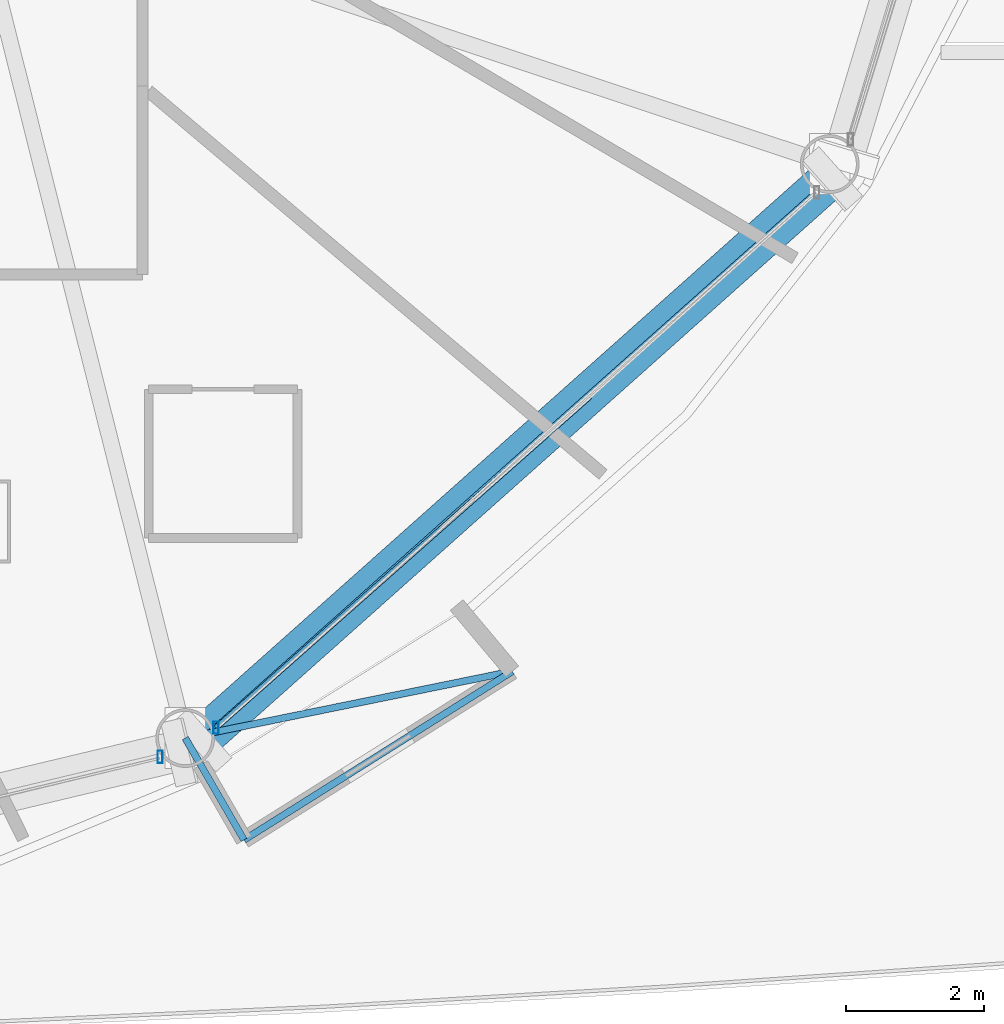
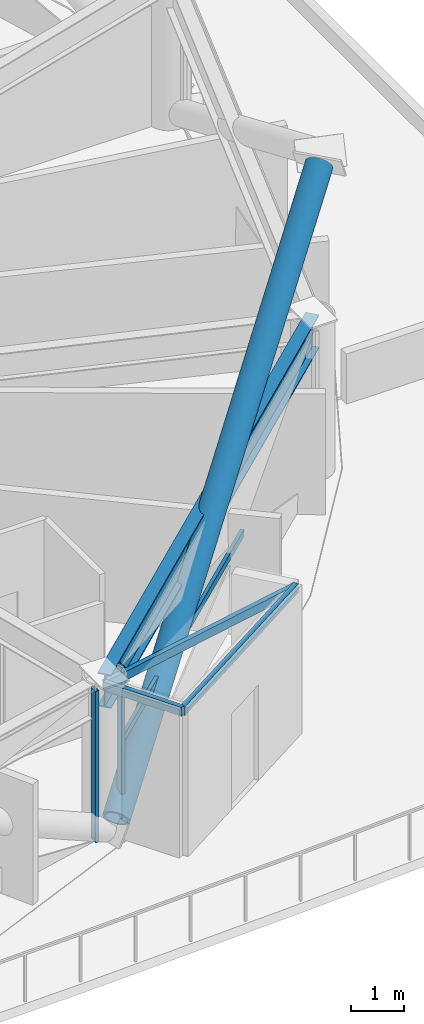
# One storey, part 7 of 27: 7 members, 1 beam, 2 elements without a shape of their own.
"""IFC4 building model written with IfcOpenShell, lengths in metres."""

import ifcopenshell
import ifcopenshell.guid

model = None  # the IFC model being written
_history = None  # IfcOwnerHistory: only IFC2X3 demands one
_inside = {}  # id of a spatial element -> (the spatial element, [elements in it])
_under = {}  # id of a project, library or spatial element -> (it, [spatial elements below it])
_declared = {}  # id of a project -> (the project, [libraries it declares])
_typed = {}  # id of a type object -> (the type object, [elements of that type])
_made_of = {}  # id of a material, layer set ... -> (it, [elements and type objects made of it])


def new_model(schema):
    """Start an empty IFC model of exactly this schema.

    Asked for "IFC4X3", IfcOpenShell would pick the latest addendum, in which some entities
    have other attributes; the version numbers below select the first issue.
    IFC2X3 requires an IfcOwnerHistory on every rooted entity: one is made here for all.
    """
    global model, _history
    if schema == "IFC4X3":
        model = ifcopenshell.file(schema_version=(4, 3, 0, 0))
    else:
        model = ifcopenshell.file(schema=schema)
    _inside.clear()
    _under.clear()
    _declared.clear()
    _typed.clear()
    _made_of.clear()
    _history = None
    if model.schema == "IFC2X3":
        org = make("IfcOrganization", Name="unknown")
        user = make(
            "IfcPersonAndOrganization",
            ThePerson=make("IfcPerson", FamilyName="unknown"),
            TheOrganization=org,
        )
        app = make(
            "IfcApplication",
            ApplicationDeveloper=org,
            Version="unknown",
            ApplicationFullName="unknown",
            ApplicationIdentifier="unknown",
        )
        _history = make(
            "IfcOwnerHistory",
            OwningUser=user,
            OwningApplication=app,
            ChangeAction="ADDED",
            CreationDate=0,
        )
    return model


def make(cls, **values):
    """One entity of the class cls with the attributes given. An attribute that is None is left unset."""
    return model.create_entity(
        cls, **{name: value for name, value in values.items() if value is not None}
    )


def rooted(cls, **values):
    """An entity with a GlobalId (a new one), such as an element, a storey or a relation."""
    return make(cls, GlobalId=ifcopenshell.guid.new(), OwnerHistory=_history, **values)


def si_unit(unit_type, name, prefix=None):
    """IfcSIUnit, for example si_unit("LENGTHUNIT", "METRE", prefix="MILLI")."""
    return make("IfcSIUnit", UnitType=unit_type, Prefix=prefix, Name=name)


def assignment(units):
    """IfcUnitAssignment: the units of a project."""
    return None if units is None else make("IfcUnitAssignment", Units=units)


def point(xyz):
    """IfcCartesianPoint."""
    return None if xyz is None else make("IfcCartesianPoint", Coordinates=xyz)


def direction(xyz):
    """IfcDirection."""
    return None if xyz is None else make("IfcDirection", DirectionRatios=xyz)


def frame(location, z_axis=None, x_axis=None):
    """IfcAxis2Placement3D, a coordinate frame: its origin and axes. An axis left out is left unset."""
    return make(
        "IfcAxis2Placement3D",
        Location=point(location),
        Axis=direction(z_axis),
        RefDirection=direction(x_axis),
    )


def frame_2d(location, x_axis=None):
    """IfcAxis2Placement2D, a coordinate frame in the plane: its origin and x axis."""
    return make(
        "IfcAxis2Placement2D", Location=point(location), RefDirection=direction(x_axis)
    )


def origin():
    """The frame at (0, 0, 0) with its axes left unset."""
    return frame((0.0, 0.0, 0.0))


def origin_2d():
    """The frame at (0, 0) in the plane with its x axis left unset."""
    return frame_2d((0.0, 0.0))


def place(relative_to, where):
    """IfcLocalPlacement: puts the frame where relative to a parent placement (None: the world)."""
    return make(
        "IfcLocalPlacement", PlacementRelTo=relative_to, RelativePlacement=where
    )


def context(
    kind, dimensions, precision=None, world=None, true_north=None, identifier=None
):
    """IfcGeometricRepresentationContext, for example the 3D "Model" context."""
    return make(
        "IfcGeometricRepresentationContext",
        ContextIdentifier=identifier,
        ContextType=kind,
        CoordinateSpaceDimension=dimensions,
        Precision=precision,
        WorldCoordinateSystem=world,
        TrueNorth=true_north,
    )


def subcontext(parent, identifier, kind, view, scale=None):
    """IfcGeometricRepresentationSubContext, for example "Body" below "Model"."""
    return make(
        "IfcGeometricRepresentationSubContext",
        ContextIdentifier=identifier,
        ContextType=kind,
        ParentContext=parent,
        TargetScale=scale,
        TargetView=view,
    )


def project(units=None, contexts=None):
    """IfcProject with its units and contexts."""
    return rooted(
        "IfcProject",
        Name="project",
        RepresentationContexts=contexts,
        UnitsInContext=assignment(units),
    )


def spatial(cls, under=None, at=None, **own):
    """A site, building, storey or space (cls), placed at a placement, below another one or the project."""
    s = rooted(cls, ObjectPlacement=at, **own)
    if under is not None:
        _under.setdefault(under.id(), (under, []))[1].append(s)
    return s


def profile(cls, at=None, kind="AREA", **sizes):
    """A parametric profile (cls). Its sizes go by their IFC names, for example OverallWidth=200.0."""
    return make(cls, ProfileType=kind, Position=at, **sizes)


def hollow_rectangle(**sizes):
    """IfcRectangleHollowProfileDef."""
    return profile("IfcRectangleHollowProfileDef", **sizes)


def hollow_circle(**sizes):
    """IfcCircleHollowProfileDef."""
    return profile("IfcCircleHollowProfileDef", **sizes)


def i_section(**sizes):
    """IfcIShapeProfileDef."""
    return profile("IfcIShapeProfileDef", **sizes)


def extrude(swept, where, along, depth):
    """IfcExtrudedAreaSolid: the profile swept, set in the frame where, extruded along a direction by depth."""
    return make(
        "IfcExtrudedAreaSolid",
        SweptArea=swept,
        Position=where,
        ExtrudedDirection=direction(along),
        Depth=depth,
    )


def shape(context_of_items, identifier, shape_type, items):
    """IfcShapeRepresentation: the items that make up one representation, for example the "Body"."""
    return make(
        "IfcShapeRepresentation",
        ContextOfItems=context_of_items,
        RepresentationIdentifier=identifier,
        RepresentationType=shape_type,
        Items=items,
    )


def material(Name=None, Category=None):
    """IfcMaterial."""
    return make("IfcMaterial", Name=Name, Category=Category)


def layer(
    of_material, thickness, ventilated=None, Name=None, Category=None, Priority=None
):
    """IfcMaterialLayer: one layer of a wall or slab, of a material (None: an air gap)."""
    return make(
        "IfcMaterialLayer",
        Material=of_material,
        LayerThickness=thickness,
        IsVentilated=ventilated,
        Name=Name,
        Category=Category,
        Priority=Priority,
    )


def layer_set(layers, Name=None):
    """IfcMaterialLayerSet."""
    return make("IfcMaterialLayerSet", MaterialLayers=layers, LayerSetName=Name)


def material_profile(
    of_material, cross_section, Name=None, Category=None, Priority=None
):
    """IfcMaterialProfile: a cross section and its material."""
    return make(
        "IfcMaterialProfile",
        Name=Name,
        Material=of_material,
        Profile=cross_section,
        Priority=Priority,
        Category=Category,
    )


def profile_set(profiles, Name=None, composite=None):
    """IfcMaterialProfileSet."""
    return make(
        "IfcMaterialProfileSet",
        Name=Name,
        MaterialProfiles=profiles,
        CompositeProfile=composite,
    )


def made_of(thing, what):
    """Note that an element or type object is made of a material, layer set ...; save() writes the relation."""
    if what is not None:
        _made_of.setdefault(what.id(), (what, []))[1].append(thing)
    return thing


def type_object(cls, material=None, **own):
    """A type object (cls), such as IfcWallType, which elements share."""
    return made_of(rooted(cls, **own), material)


def element(
    cls,
    number,
    at=None,
    inside=None,
    cuts=None,
    type_object=None,
    material=None,
    context=None,
    identifier="Body",
    shape_type=None,
    held_by="IfcProductDefinitionShape",
    body=None,
    shapes=None,
    **own,
):
    """One element of the class cls, such as IfcWall. Its Tag is "e" and its number.

    at: its placement. inside: the storey or other place that contains it. cuts: it is an
    opening in that element (IfcRelVoidsElement). A single representation is given by context,
    identifier, shape_type and body (its items); several are given by shapes. held_by: the class
    of the entity that holds the representations. save() writes the other relations.
    """
    e = rooted(cls, Tag="e%d" % number, ObjectPlacement=at, **own)
    if body is not None:
        shapes = [shape(context, identifier, shape_type, body)]
    if shapes is not None:
        e.Representation = make(held_by, Representations=shapes)
    if inside is not None:
        _inside.setdefault(inside.id(), (inside, []))[1].append(e)
    if cuts is not None:
        rooted(
            "IfcRelVoidsElement", RelatingBuildingElement=cuts, RelatedOpeningElement=e
        )
    if type_object is not None:
        _typed.setdefault(type_object.id(), (type_object, []))[1].append(e)
    return made_of(e, material)


def aggregate(whole, parts):
    """IfcRelAggregates: a whole, such as a stair, and the parts it consists of."""
    return rooted("IfcRelAggregates", RelatingObject=whole, RelatedObjects=parts)


def save(model, path):
    """Write the relations noted so far, then the file.

    IfcRelAggregates (storeys below a building ...), IfcRelContainedInSpatialStructure (elements
    in a storey), IfcRelDefinesByType, IfcRelAssociatesMaterial and IfcRelDeclares: one each for
    every whole, place, type object, material and project.
    """
    for whole, parts in _under.values():
        aggregate(whole, parts)
    for where, things in _inside.values():
        rooted(
            "IfcRelContainedInSpatialStructure",
            RelatedElements=things,
            RelatingStructure=where,
        )
    for kind, things in _typed.values():
        rooted("IfcRelDefinesByType", RelatedObjects=things, RelatingType=kind)
    for what, things in _made_of.values():
        rooted("IfcRelAssociatesMaterial", RelatedObjects=things, RelatingMaterial=what)
    for by, libraries in _declared.values():
        rooted("IfcRelDeclares", RelatingContext=by, RelatedDefinitions=libraries)
    model.write(path)


model = new_model("IFC4")

# Units and contexts
model_context = context("Model", 3, precision=1e-05, world=origin(), true_north=direction((0.0, 1.0)))
body_context = subcontext(model_context, "Body", "Model", "MODEL_VIEW")
ifc_project = project(units=[si_unit("LENGTHUNIT", "METRE"), si_unit("AREAUNIT", "SQUARE_METRE"), si_unit("VOLUMEUNIT", "CUBIC_METRE"), si_unit("PLANEANGLEUNIT", "RADIAN"), si_unit("MASSUNIT", "GRAM", prefix="KILO")], contexts=[model_context])

# Site, building, storey
site_placement = place(None, origin())
site = spatial("IfcSite", under=ifc_project, at=site_placement, CompositionType="ELEMENT")
building_placement = place(site_placement, origin())
building = spatial("IfcBuilding", under=site, at=building_placement, Name="Vantalir Tower", CompositionType="ELEMENT")
storey_placement = place(building_placement, frame((0.0, 0.0, 27.0)))
storey = spatial("IfcBuildingStorey", under=building, at=storey_placement, Name="L05", CompositionType="ELEMENT", Elevation=27.0)

# Beam
ifc_material_1 = material(Name="Steel S460", Category="steel")
ifc_material_profile_1 = material_profile(ifc_material_1, i_section(OverallWidth=0.26806640625, OverallDepth=0.77001953125, WebThickness=0.015625, FlangeThickness=0.025390625, at=origin_2d()), Name="Steel S460")
ifc_profile_set_1 = profile_set([ifc_material_profile_1], Name="Steel S460")
beam_type = type_object("IfcBeamType", Name="BM-RG-762x267", PredefinedType="USERDEFINED", material=ifc_profile_set_1)
beam_placement = place(storey_placement, frame((44.22509765625, 5.3720703125, 3.18505859375), z_axis=(0.746774014303, 0.665077868795, 0.0), x_axis=(-0.665077868795, 0.746774014303, 0.0)))
element("IfcBeam", 1, at=beam_placement, inside=storey, type_object=beam_type, Name="L05 Circumferential Ring Girder 11", ObjectType="GIRDER", PredefinedType="USERDEFINED", context=body_context, shape_type="SweptSolid", body=[
    extrude(i_section(OverallWidth=0.26806640625, OverallDepth=0.77001953125, WebThickness=0.015625, FlangeThickness=0.025390625, at=origin_2d()), origin(), (0.0, 0.0, 1.0), 12.4736328125),
])

# Curtain wall, member
ifc_material_2 = material(Name="Champagne-silver PVDF aluminium and double-silver Low-E glass", Category="aluminium")
ifc_layer = layer(ifc_material_2, 0.18994140625)
ifc_layer_set = layer_set([ifc_layer], Name="Champagne-silver PVDF aluminium and double-silver Low-E glass")
curtain_wall_type = type_object("IfcCurtainWallType", Name="CW-DIAMOND-Z1", PredefinedType="USERDEFINED", material=ifc_layer_set)
curtain_wall_1_placement = place(storey_placement, origin())
curtain_wall_1 = element("IfcCurtainWall", 2, at=curtain_wall_1_placement, inside=storey, type_object=curtain_wall_type, Name="L05 Quilted Pyramid-Diamond Curtain Wall S10", ObjectType="UNITISED CURTAIN WALL", PredefinedType="USERDEFINED")
ifc_material_3 = material(Name="Champagne-silver PVDF aluminium 6063-T6", Category="aluminium")
ifc_material_profile_2 = material_profile(ifc_material_3, hollow_rectangle(XDim=0.074951171875, YDim=0.179931640625, WallThickness=0.00390625, at=origin_2d()), Name="Champagne-silver PVDF aluminium 6063-T6")
ifc_profile_set_2 = profile_set([ifc_material_profile_2], Name="Champagne-silver PVDF aluminium 6063-T6")
member_type_1 = type_object("IfcMemberType", Name="CWM-180x75", PredefinedType="MULLION", material=ifc_profile_set_2)
member_1_placement = place(storey_placement, frame((43.863037109375, 5.09912109375, 0.044921875), z_axis=(0.0, 0.0, 1.0), x_axis=(1.0, 0.0, 0.0)))
member_1 = element("IfcMember", 3, at=member_1_placement, type_object=member_type_1, Name="CW-L05-S10 Mullion 2", PredefinedType="MULLION", context=body_context, shape_type="SweptSolid", body=[
    extrude(hollow_rectangle(XDim=0.074951171875, YDim=0.179931640625, WallThickness=0.00390625, at=origin_2d()), origin(), (0.0, 0.0, 1.0), 3.47998046875),
])
aggregate(curtain_wall_1, [member_1])

# Curtain wall, members
curtain_wall_2_placement = place(storey_placement, origin())
curtain_wall_2 = element("IfcCurtainWall", 4, at=curtain_wall_2_placement, inside=storey, type_object=curtain_wall_type, Name="L05 Quilted Pyramid-Diamond Curtain Wall S11", ObjectType="UNITISED CURTAIN WALL", PredefinedType="USERDEFINED")
member_2_placement = place(storey_placement, frame((44.6708984375, 5.52099609375, 0.044921875), z_axis=(0.0, 0.0, 1.0), x_axis=(1.0, 0.0, 0.0)))
member_2 = element("IfcMember", 5, at=member_2_placement, type_object=member_type_1, Name="CW-L05-S11 Mullion 1", PredefinedType="MULLION", context=body_context, shape_type="SweptSolid", body=[
    extrude(hollow_rectangle(XDim=0.074951171875, YDim=0.179931640625, WallThickness=0.00390625, at=origin_2d()), origin(), (0.0, 0.0, 1.0), 3.47998046875),
])
ifc_material_profile_3 = material_profile(ifc_material_3, hollow_rectangle(XDim=0.074951171875, YDim=0.159912109375, WallThickness=0.00390625, at=origin_2d()), Name="Champagne-silver PVDF aluminium 6063-T6")
ifc_profile_set_3 = profile_set([ifc_material_profile_3], Name="Champagne-silver PVDF aluminium 6063-T6")
member_type_2 = type_object("IfcMemberType", Name="CWT-160x75", PredefinedType="USERDEFINED", material=ifc_profile_set_3)
member_3_placement = place(storey_placement, frame((44.6708984375, 5.52099609375, 1.784912109375), z_axis=(0.748709088979, 0.662898710272, 0.0), x_axis=(-0.662898710272, 0.748709088979, 0.0)))
member_3 = element("IfcMember", 6, at=member_3_placement, type_object=member_type_2, Name="CW-L05-S11 Pyramid Fold Ridge Transom", ObjectType="TRANSOM", PredefinedType="USERDEFINED", context=body_context, shape_type="SweptSolid", body=[
    extrude(hollow_rectangle(XDim=0.074951171875, YDim=0.159912109375, WallThickness=0.00390625, at=origin_2d()), origin(), (0.0, 0.0, 1.0), 7.21533203125),
])
aggregate(curtain_wall_2, [member_2, member_3])

# Members
ifc_material_profile_4 = material_profile(ifc_material_1, hollow_circle(Radius=0.27001953125, WallThickness=0.044921875, at=origin_2d()), Name="Steel S460")
ifc_profile_set_4 = profile_set([ifc_material_profile_4], Name="Steel S460")
member_type_3 = type_object("IfcMemberType", Name="MEM-DB-540x45", PredefinedType="BRACE", material=ifc_profile_set_4)
member_4_placement = place(storey_placement, frame((44.462890625, 5.3349609375, 0.18896484375), z_axis=(0.648652807467, 0.578218197544, 0.494887109748), x_axis=(-0.665416140811, 0.746472611385, 0.0)))
element("IfcMember", 7, at=member_4_placement, inside=storey, type_object=member_type_3, Name="L05 Perimeter S460 Diagrid Brace R31L", PredefinedType="BRACE", context=body_context, shape_type="SweptSolid", body=[
    extrude(hollow_circle(Radius=0.27001953125, WallThickness=0.044921875, at=origin_2d()), origin(), (0.0, 0.0, 1.0), 14.02783203125),
])
ifc_material_4 = material(Name="Steel S355", Category="steel")
ifc_material_profile_5 = material_profile(ifc_material_4, hollow_rectangle(XDim=0.10009765625, YDim=0.199951171875, WallThickness=0.008056640625, at=origin_2d()), Name="Steel S355")
ifc_profile_set_5 = profile_set([ifc_material_profile_5], Name="Steel S355")
member_type_4 = type_object("IfcMemberType", Name="MEM-PR-200x100", PredefinedType="PURLIN", material=ifc_profile_set_5)
member_5_placement = place(storey_placement, frame((44.22509765625, 5.3720703125, 3.320068359375), z_axis=(0.499954529098, -0.86605165483, 0.0), x_axis=(0.86605165483, 0.499954529098, 0.0)))
element("IfcMember", 8, at=member_5_placement, inside=storey, type_object=member_type_4, Name="L05 Vestibule Canopy Cantilever Purlin SE1", PredefinedType="PURLIN", context=body_context, shape_type="SweptSolid", body=[
    extrude(hollow_rectangle(XDim=0.10009765625, YDim=0.199951171875, WallThickness=0.008056640625, at=origin_2d()), origin(), (0.0, 0.0, 1.0), 1.699951171875),
])
member_6_placement = place(storey_placement, frame((44.22509765625, 5.3720703125, 3.320068359375), z_axis=(0.979836018197, 0.199803346926, 0.0), x_axis=(-0.199803346926, 0.979836018197, 0.0)))
element("IfcMember", 9, at=member_6_placement, inside=storey, type_object=member_type_4, Name="L05 Vestibule Canopy Diagonal Purlin SE2", PredefinedType="PURLIN", context=body_context, shape_type="SweptSolid", body=[
    extrude(hollow_rectangle(XDim=0.10009765625, YDim=0.199951171875, WallThickness=0.008056640625, at=origin_2d()), origin(), (0.0, 0.0, 1.0), 4.823974609375),
])
member_7_placement = place(storey_placement, frame((45.074951171875, 3.89990234375, 3.320068359375), z_axis=(0.84672576841, 0.532029579169, 0.0), x_axis=(-0.532029579169, 0.84672576841, 0.0)))
element("IfcMember", 10, at=member_7_placement, inside=storey, type_object=member_type_4, Name="L05 Vestibule Canopy Header Purlin SE3", PredefinedType="PURLIN", context=body_context, shape_type="SweptSolid", body=[
    extrude(hollow_rectangle(XDim=0.10009765625, YDim=0.199951171875, WallThickness=0.008056640625, at=origin_2d()), origin(), (0.0, 0.0, 1.0), 4.578857421875),
])

save(model, "model.ifc")
